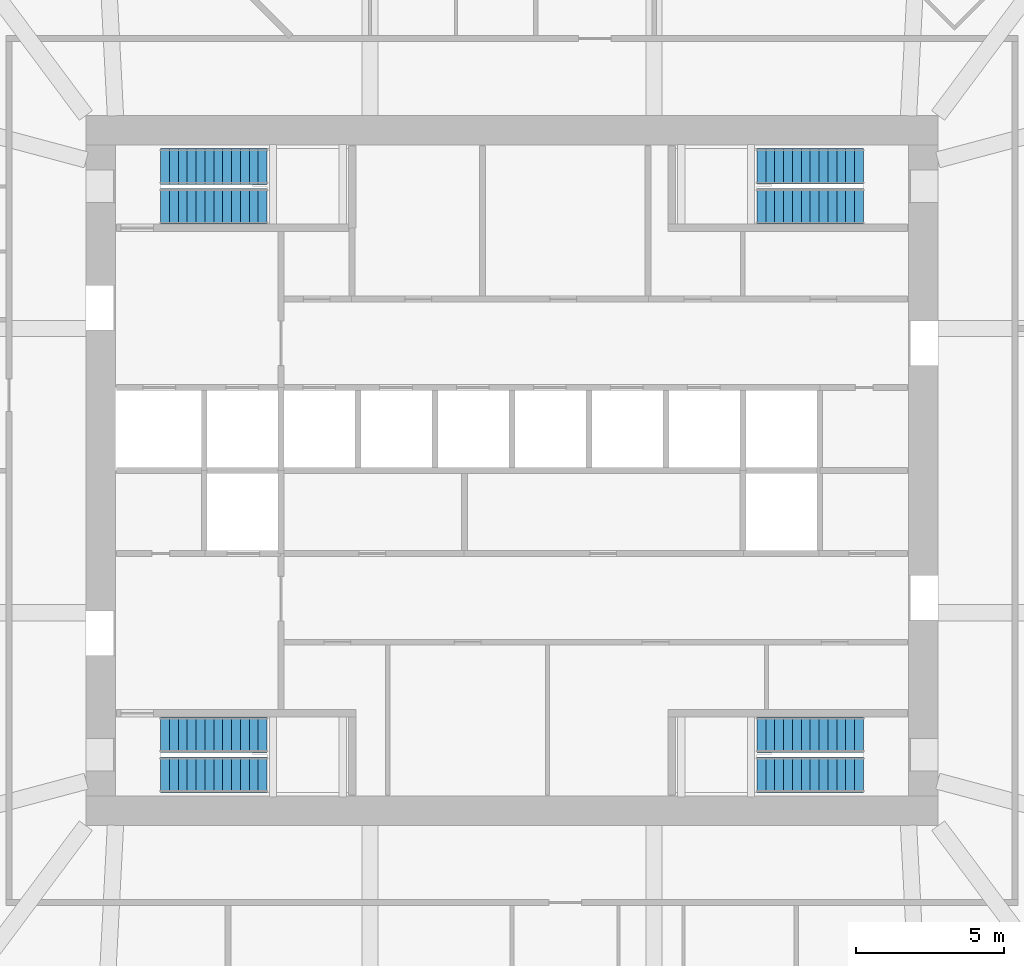
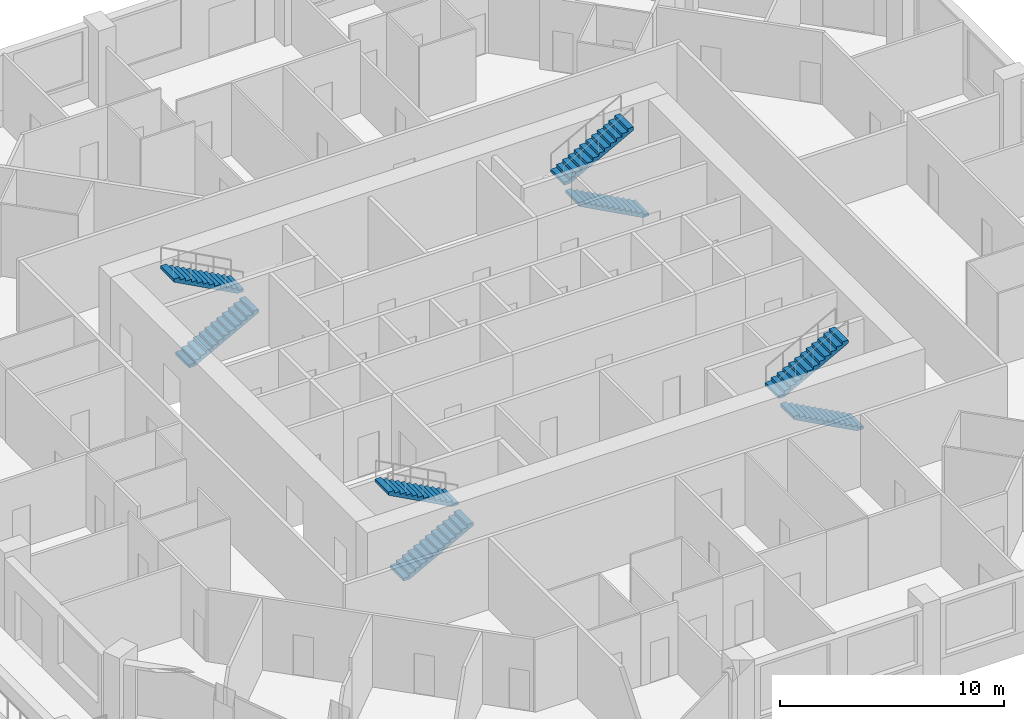
# One storey, part 11 of 13: 8 stair flights, 4 elements without a shape of their own.
"""IFC4 building model written with IfcOpenShell, lengths in metres."""

from ifc_helpers import new_model, si_unit, direction, frame, origin, place, context, subcontext, project, spatial, polyline, outline, extrude, material, type_object, element, aggregate, save


model = new_model("IFC4")

# Units and contexts
model_context = context("Model", 3, precision=1e-05, world=origin(), true_north=direction((0.0, 1.0)))
body_context = subcontext(model_context, "Body", "Model", "MODEL_VIEW")
ifc_project = project(units=[si_unit("LENGTHUNIT", "METRE"), si_unit("AREAUNIT", "SQUARE_METRE"), si_unit("VOLUMEUNIT", "CUBIC_METRE"), si_unit("PLANEANGLEUNIT", "RADIAN"), si_unit("MASSUNIT", "GRAM", prefix="KILO")], contexts=[model_context])

# Site, building, storey
site_placement = place(None, origin())
site = spatial("IfcSite", under=ifc_project, at=site_placement, CompositionType="ELEMENT")
building_placement = place(site_placement, origin())
building = spatial("IfcBuilding", under=site, at=building_placement, Name="Msitu Wima Residences", CompositionType="ELEMENT")
storey_placement = place(building_placement, frame((0.0, 0.0, 84.300048828125)))
storey = spatial("IfcBuildingStorey", under=building, at=storey_placement, Name="L19", CompositionType="ELEMENT", Elevation=84.300048828125)

# Stair, stair flights
ifc_material = material(Name="Concrete C40/50", Category="concrete")
stair_type = type_object("IfcStairType", Name="Exit stair ES1615-120", PredefinedType="HALF_TURN_STAIR", material=ifc_material)
stair_1_placement = place(storey_placement, origin())
stair_1 = element("IfcStair", 1, at=stair_1_placement, inside=storey, type_object=stair_type, Name="Exit stair 1", PredefinedType="HALF_TURN_STAIR")
stair_flight_type = type_object("IfcStairFlightType", Name="Exit stair flight ES1615-120", PredefinedType="STRAIGHT", material=ifc_material)
stair_flight_1_placement = place(storey_placement, frame((-11.875, 8.925048828125, 0.0), z_axis=(0.0, 0.0, 1.0), x_axis=(1.0, 0.0, 0.0)))
stair_flight_1 = element("IfcStairFlight", 2, at=stair_flight_1_placement, type_object=stair_flight_type, Name="S1 flight 1", NumberOfRisers=13, NumberOfTreads=12, PredefinedType="STRAIGHT", RiserHeight=0.161538462, TreadLength=0.3, context=body_context, shape_type="SweptSolid", body=[
    extrude(outline(polyline([(0.0, 0.0), (0.0, 0.16162109375), (0.300048828125, 0.16162109375), (0.300048828125, 0.322998046875), (0.60009765625, 0.322998046875), (0.60009765625, 0.484619140625), (0.89990234375, 0.484619140625), (0.89990234375, 0.646240234375), (1.199951171875, 0.646240234375), (1.199951171875, 0.8076171875), (1.5, 0.8076171875), (1.5, 0.96923828125), (1.800048828125, 0.96923828125), (1.800048828125, 1.130859375), (2.10009765625, 1.130859375), (2.10009765625, 1.292236328125), (2.39990234375, 1.292236328125), (2.39990234375, 1.453857421875), (2.699951171875, 1.453857421875), (2.699951171875, 1.615478515625), (3.0, 1.615478515625), (3.0, 1.77685546875), (3.300048828125, 1.77685546875), (3.300048828125, 1.9384765625), (3.60009765625, 1.9384765625), (3.60009765625, 2.10009765625), (3.60009765625, 1.768310546875), (0.316162109375, 0.0), (0.0, 0.0)])), frame((0.0, 0.60009765625, 0.0), z_axis=(0.0, -1.0, 0.0), x_axis=(1.0, 0.0, 0.0)), (0.0, 0.0, 1.0), 1.199951171875),
])
stair_flight_2_placement = place(storey_placement, frame((-8.27490234375, 10.27490234375, 2.099853515625), z_axis=(0.0, 0.0, 1.0), x_axis=(-1.0, 0.0, 0.0)))
stair_flight_2 = element("IfcStairFlight", 3, at=stair_flight_2_placement, type_object=stair_flight_type, Name="S1 flight 2", NumberOfRisers=13, NumberOfTreads=12, PredefinedType="STRAIGHT", RiserHeight=0.161538462, TreadLength=0.3, context=body_context, shape_type="SweptSolid", body=[
    extrude(outline(polyline([(0.0, 0.0), (0.0, 0.16162109375), (0.300048828125, 0.16162109375), (0.300048828125, 0.322998046875), (0.60009765625, 0.322998046875), (0.60009765625, 0.484619140625), (0.89990234375, 0.484619140625), (0.89990234375, 0.646240234375), (1.199951171875, 0.646240234375), (1.199951171875, 0.8076171875), (1.5, 0.8076171875), (1.5, 0.96923828125), (1.800048828125, 0.96923828125), (1.800048828125, 1.130859375), (2.10009765625, 1.130859375), (2.10009765625, 1.292236328125), (2.39990234375, 1.292236328125), (2.39990234375, 1.453857421875), (2.699951171875, 1.453857421875), (2.699951171875, 1.615478515625), (3.0, 1.615478515625), (3.0, 1.77685546875), (3.300048828125, 1.77685546875), (3.300048828125, 1.9384765625), (3.60009765625, 1.9384765625), (3.60009765625, 2.10009765625), (3.60009765625, 1.768310546875), (0.316162109375, 0.0), (0.0, 0.0)])), frame((0.0, 0.60009765625, 0.0), z_axis=(0.0, -1.0, 0.0), x_axis=(1.0, 0.0, 0.0)), (0.0, 0.0, 1.0), 1.199951171875),
])
aggregate(stair_1, [stair_flight_1, stair_flight_2])

stair_2_placement = place(storey_placement, origin())
stair_2 = element("IfcStair", 4, at=stair_2_placement, inside=storey, type_object=stair_type, Name="Exit stair 2", PredefinedType="HALF_TURN_STAIR")
stair_flight_3_placement = place(storey_placement, frame((-11.875, -10.27490234375, 0.0), z_axis=(0.0, 0.0, 1.0), x_axis=(1.0, 0.0, 0.0)))
stair_flight_3 = element("IfcStairFlight", 5, at=stair_flight_3_placement, type_object=stair_flight_type, Name="S2 flight 1", NumberOfRisers=13, NumberOfTreads=12, PredefinedType="STRAIGHT", RiserHeight=0.161538462, TreadLength=0.3, context=body_context, shape_type="SweptSolid", body=[
    extrude(outline(polyline([(0.0, 0.0), (0.0, 0.16162109375), (0.300048828125, 0.16162109375), (0.300048828125, 0.322998046875), (0.60009765625, 0.322998046875), (0.60009765625, 0.484619140625), (0.89990234375, 0.484619140625), (0.89990234375, 0.646240234375), (1.199951171875, 0.646240234375), (1.199951171875, 0.8076171875), (1.5, 0.8076171875), (1.5, 0.96923828125), (1.800048828125, 0.96923828125), (1.800048828125, 1.130859375), (2.10009765625, 1.130859375), (2.10009765625, 1.292236328125), (2.39990234375, 1.292236328125), (2.39990234375, 1.453857421875), (2.699951171875, 1.453857421875), (2.699951171875, 1.615478515625), (3.0, 1.615478515625), (3.0, 1.77685546875), (3.300048828125, 1.77685546875), (3.300048828125, 1.9384765625), (3.60009765625, 1.9384765625), (3.60009765625, 2.10009765625), (3.60009765625, 1.768310546875), (0.316162109375, 0.0), (0.0, 0.0)])), frame((0.0, 0.60009765625, 0.0), z_axis=(0.0, -1.0, 0.0), x_axis=(1.0, 0.0, 0.0)), (0.0, 0.0, 1.0), 1.199951171875),
])
stair_flight_4_placement = place(storey_placement, frame((-8.27490234375, -8.925048828125, 2.099853515625), z_axis=(0.0, 0.0, 1.0), x_axis=(-1.0, 0.0, 0.0)))
stair_flight_4 = element("IfcStairFlight", 6, at=stair_flight_4_placement, type_object=stair_flight_type, Name="S2 flight 2", NumberOfRisers=13, NumberOfTreads=12, PredefinedType="STRAIGHT", RiserHeight=0.161538462, TreadLength=0.3, context=body_context, shape_type="SweptSolid", body=[
    extrude(outline(polyline([(0.0, 0.0), (0.0, 0.16162109375), (0.300048828125, 0.16162109375), (0.300048828125, 0.322998046875), (0.60009765625, 0.322998046875), (0.60009765625, 0.484619140625), (0.89990234375, 0.484619140625), (0.89990234375, 0.646240234375), (1.199951171875, 0.646240234375), (1.199951171875, 0.8076171875), (1.5, 0.8076171875), (1.5, 0.96923828125), (1.800048828125, 0.96923828125), (1.800048828125, 1.130859375), (2.10009765625, 1.130859375), (2.10009765625, 1.292236328125), (2.39990234375, 1.292236328125), (2.39990234375, 1.453857421875), (2.699951171875, 1.453857421875), (2.699951171875, 1.615478515625), (3.0, 1.615478515625), (3.0, 1.77685546875), (3.300048828125, 1.77685546875), (3.300048828125, 1.9384765625), (3.60009765625, 1.9384765625), (3.60009765625, 2.10009765625), (3.60009765625, 1.768310546875), (0.316162109375, 0.0), (0.0, 0.0)])), frame((0.0, 0.60009765625, 0.0), z_axis=(0.0, -1.0, 0.0), x_axis=(1.0, 0.0, 0.0)), (0.0, 0.0, 1.0), 1.199951171875),
])
aggregate(stair_2, [stair_flight_3, stair_flight_4])

stair_3_placement = place(storey_placement, origin())
stair_3 = element("IfcStair", 7, at=stair_3_placement, inside=storey, type_object=stair_type, Name="Exit stair 3", PredefinedType="HALF_TURN_STAIR")
stair_flight_5_placement = place(storey_placement, frame((11.875, 8.925048828125, 0.0), z_axis=(0.0, 0.0, 1.0), x_axis=(-1.0, 0.0, 0.0)))
stair_flight_5 = element("IfcStairFlight", 8, at=stair_flight_5_placement, type_object=stair_flight_type, Name="S3 flight 1", NumberOfRisers=13, NumberOfTreads=12, PredefinedType="STRAIGHT", RiserHeight=0.161538462, TreadLength=0.3, context=body_context, shape_type="SweptSolid", body=[
    extrude(outline(polyline([(0.0, 0.0), (0.0, 0.16162109375), (0.300048828125, 0.16162109375), (0.300048828125, 0.322998046875), (0.60009765625, 0.322998046875), (0.60009765625, 0.484619140625), (0.89990234375, 0.484619140625), (0.89990234375, 0.646240234375), (1.199951171875, 0.646240234375), (1.199951171875, 0.8076171875), (1.5, 0.8076171875), (1.5, 0.96923828125), (1.800048828125, 0.96923828125), (1.800048828125, 1.130859375), (2.10009765625, 1.130859375), (2.10009765625, 1.292236328125), (2.39990234375, 1.292236328125), (2.39990234375, 1.453857421875), (2.699951171875, 1.453857421875), (2.699951171875, 1.615478515625), (3.0, 1.615478515625), (3.0, 1.77685546875), (3.300048828125, 1.77685546875), (3.300048828125, 1.9384765625), (3.60009765625, 1.9384765625), (3.60009765625, 2.10009765625), (3.60009765625, 1.768310546875), (0.316162109375, 0.0), (0.0, 0.0)])), frame((0.0, 0.60009765625, 0.0), z_axis=(0.0, -1.0, 0.0), x_axis=(1.0, 0.0, 0.0)), (0.0, 0.0, 1.0), 1.199951171875),
])
stair_flight_6_placement = place(storey_placement, frame((8.27490234375, 10.27490234375, 2.099853515625), z_axis=(0.0, 0.0, 1.0), x_axis=(1.0, 0.0, 0.0)))
stair_flight_6 = element("IfcStairFlight", 9, at=stair_flight_6_placement, type_object=stair_flight_type, Name="S3 flight 2", NumberOfRisers=13, NumberOfTreads=12, PredefinedType="STRAIGHT", RiserHeight=0.161538462, TreadLength=0.3, context=body_context, shape_type="SweptSolid", body=[
    extrude(outline(polyline([(0.0, 0.0), (0.0, 0.16162109375), (0.300048828125, 0.16162109375), (0.300048828125, 0.322998046875), (0.60009765625, 0.322998046875), (0.60009765625, 0.484619140625), (0.89990234375, 0.484619140625), (0.89990234375, 0.646240234375), (1.199951171875, 0.646240234375), (1.199951171875, 0.8076171875), (1.5, 0.8076171875), (1.5, 0.96923828125), (1.800048828125, 0.96923828125), (1.800048828125, 1.130859375), (2.10009765625, 1.130859375), (2.10009765625, 1.292236328125), (2.39990234375, 1.292236328125), (2.39990234375, 1.453857421875), (2.699951171875, 1.453857421875), (2.699951171875, 1.615478515625), (3.0, 1.615478515625), (3.0, 1.77685546875), (3.300048828125, 1.77685546875), (3.300048828125, 1.9384765625), (3.60009765625, 1.9384765625), (3.60009765625, 2.10009765625), (3.60009765625, 1.768310546875), (0.316162109375, 0.0), (0.0, 0.0)])), frame((0.0, 0.60009765625, 0.0), z_axis=(0.0, -1.0, 0.0), x_axis=(1.0, 0.0, 0.0)), (0.0, 0.0, 1.0), 1.199951171875),
])
aggregate(stair_3, [stair_flight_5, stair_flight_6])

stair_4_placement = place(storey_placement, origin())
stair_4 = element("IfcStair", 10, at=stair_4_placement, inside=storey, type_object=stair_type, Name="Exit stair 4", PredefinedType="HALF_TURN_STAIR")
stair_flight_7_placement = place(storey_placement, frame((11.875, -10.27490234375, 0.0), z_axis=(0.0, 0.0, 1.0), x_axis=(-1.0, 0.0, 0.0)))
stair_flight_7 = element("IfcStairFlight", 11, at=stair_flight_7_placement, type_object=stair_flight_type, Name="S4 flight 1", NumberOfRisers=13, NumberOfTreads=12, PredefinedType="STRAIGHT", RiserHeight=0.161538462, TreadLength=0.3, context=body_context, shape_type="SweptSolid", body=[
    extrude(outline(polyline([(0.0, 0.0), (0.0, 0.16162109375), (0.300048828125, 0.16162109375), (0.300048828125, 0.322998046875), (0.60009765625, 0.322998046875), (0.60009765625, 0.484619140625), (0.89990234375, 0.484619140625), (0.89990234375, 0.646240234375), (1.199951171875, 0.646240234375), (1.199951171875, 0.8076171875), (1.5, 0.8076171875), (1.5, 0.96923828125), (1.800048828125, 0.96923828125), (1.800048828125, 1.130859375), (2.10009765625, 1.130859375), (2.10009765625, 1.292236328125), (2.39990234375, 1.292236328125), (2.39990234375, 1.453857421875), (2.699951171875, 1.453857421875), (2.699951171875, 1.615478515625), (3.0, 1.615478515625), (3.0, 1.77685546875), (3.300048828125, 1.77685546875), (3.300048828125, 1.9384765625), (3.60009765625, 1.9384765625), (3.60009765625, 2.10009765625), (3.60009765625, 1.768310546875), (0.316162109375, 0.0), (0.0, 0.0)])), frame((0.0, 0.60009765625, 0.0), z_axis=(0.0, -1.0, 0.0), x_axis=(1.0, 0.0, 0.0)), (0.0, 0.0, 1.0), 1.199951171875),
])
stair_flight_8_placement = place(storey_placement, frame((8.27490234375, -8.925048828125, 2.099853515625), z_axis=(0.0, 0.0, 1.0), x_axis=(1.0, 0.0, 0.0)))
stair_flight_8 = element("IfcStairFlight", 12, at=stair_flight_8_placement, type_object=stair_flight_type, Name="S4 flight 2", NumberOfRisers=13, NumberOfTreads=12, PredefinedType="STRAIGHT", RiserHeight=0.161538462, TreadLength=0.3, context=body_context, shape_type="SweptSolid", body=[
    extrude(outline(polyline([(0.0, 0.0), (0.0, 0.16162109375), (0.300048828125, 0.16162109375), (0.300048828125, 0.322998046875), (0.60009765625, 0.322998046875), (0.60009765625, 0.484619140625), (0.89990234375, 0.484619140625), (0.89990234375, 0.646240234375), (1.199951171875, 0.646240234375), (1.199951171875, 0.8076171875), (1.5, 0.8076171875), (1.5, 0.96923828125), (1.800048828125, 0.96923828125), (1.800048828125, 1.130859375), (2.10009765625, 1.130859375), (2.10009765625, 1.292236328125), (2.39990234375, 1.292236328125), (2.39990234375, 1.453857421875), (2.699951171875, 1.453857421875), (2.699951171875, 1.615478515625), (3.0, 1.615478515625), (3.0, 1.77685546875), (3.300048828125, 1.77685546875), (3.300048828125, 1.9384765625), (3.60009765625, 1.9384765625), (3.60009765625, 2.10009765625), (3.60009765625, 1.768310546875), (0.316162109375, 0.0), (0.0, 0.0)])), frame((0.0, 0.60009765625, 0.0), z_axis=(0.0, -1.0, 0.0), x_axis=(1.0, 0.0, 0.0)), (0.0, 0.0, 1.0), 1.199951171875),
])
aggregate(stair_4, [stair_flight_7, stair_flight_8])

save(model, "model.ifc")
